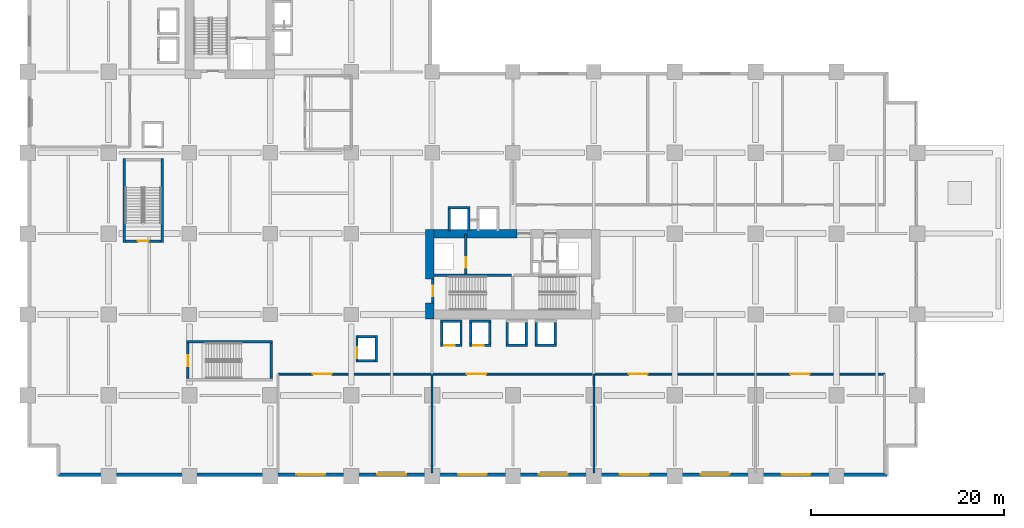
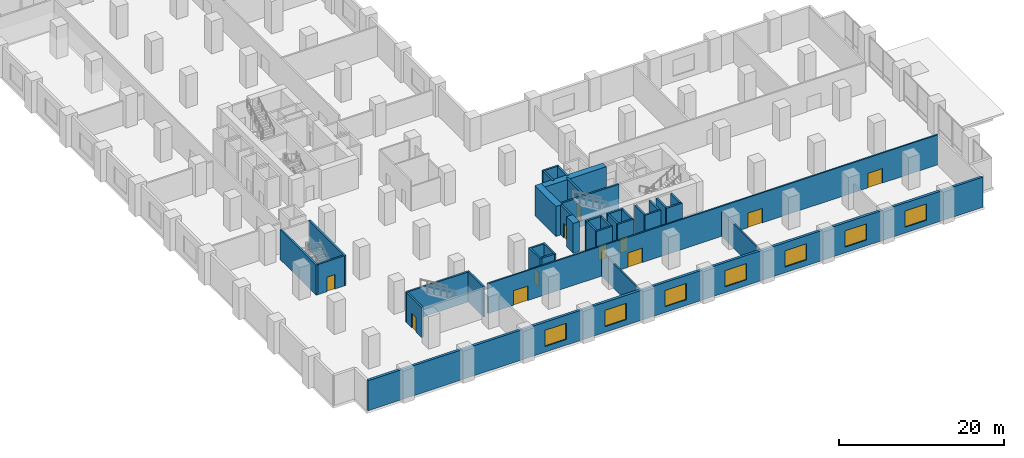
# One storey, part 10 of 22: 37 walls, 11 doors, 7 windows, 18 openings.
"""IFC4 building model written with IfcOpenShell, lengths in metres."""

from ifc_helpers import new_model, si_unit, direction, frame, frame_2d, origin, place, context, subcontext, project, spatial, rectangle, extrude, material, layer, layer_set, type_object, element, fill, save


model = new_model("IFC4")

# Units and contexts
model_context = context("Model", 3, precision=1e-05, world=origin(), true_north=direction((0.0, 1.0)))
body_context = subcontext(model_context, "Body", "Model", "MODEL_VIEW")
ifc_project = project(units=[si_unit("LENGTHUNIT", "METRE"), si_unit("AREAUNIT", "SQUARE_METRE"), si_unit("VOLUMEUNIT", "CUBIC_METRE"), si_unit("PLANEANGLEUNIT", "RADIAN"), si_unit("MASSUNIT", "GRAM", prefix="KILO")], contexts=[model_context])

# Site, building, storey
site_placement = place(None, origin())
site = spatial("IfcSite", under=ifc_project, at=site_placement, CompositionType="ELEMENT")
building_placement = place(site_placement, origin())
building = spatial("IfcBuilding", under=site, at=building_placement, Name="Koriwani Terraces Tower", CompositionType="ELEMENT")
storey_placement = place(building_placement, frame((0.0, 0.0, 6.0)))
storey = spatial("IfcBuildingStorey", under=building, at=storey_placement, Name="L01", CompositionType="ELEMENT", Elevation=6.0)

# Walls
ifc_material_1 = material(Name="Concrete C60/75", Category="concrete")
ifc_layer_1 = layer(ifc_material_1, 0.89990234375, Name="Concrete C60/75")
ifc_layer_set_1 = layer_set([ifc_layer_1], Name="Concrete C60/75")
wall_type_1 = type_object("IfcWallType", Name="WALL_CORE_RC_900", PredefinedType="SHEAR", material=ifc_layer_set_1)
wall_1_placement = place(storey_placement, frame((41.75, 16.35009765625, 0.0), z_axis=(0.0, 0.0, 1.0), x_axis=(0.0, 1.0, 0.0)))
element("IfcWall", 1, at=wall_1_placement, inside=storey, type_object=wall_type_1, Name="L01 East Split Core Shear Wall W1", PredefinedType="SHEAR", context=body_context, shape_type="SweptSolid", body=[
    extrude(rectangle(XDim=1.64990234375, YDim=0.89990234375, at=frame_2d((0.824951171875, 0.0))), origin(), (0.0, 0.0, 1.0), 4.449951171875),
])
wall_2_placement = place(storey_placement, frame((41.75, 20.5, 0.0), z_axis=(0.0, 0.0, 1.0), x_axis=(0.0, 1.0, 0.0)))
element("IfcWall", 2, at=wall_2_placement, inside=storey, type_object=wall_type_1, Name="L01 East Split Core Shear Wall W2", PredefinedType="SHEAR", context=body_context, shape_type="SweptSolid", body=[
    extrude(rectangle(XDim=5.14990234375, YDim=0.89990234375, at=frame_2d((2.574951171875, 0.0))), origin(), (0.0, 0.0, 1.0), 4.449951171875),
])
wall_3_placement = place(storey_placement, frame((42.199951171875, 25.199951171875, 0.0), z_axis=(0.0, 0.0, 1.0), x_axis=(1.0, 0.0, 0.0)))
element("IfcWall", 3, at=wall_3_placement, inside=storey, type_object=wall_type_1, Name="L01 East Split Core Shear Wall N1", PredefinedType="SHEAR", context=body_context, shape_type="SweptSolid", body=[
    extrude(rectangle(XDim=8.60009765625, YDim=0.89990234375, at=frame_2d((4.300048828125, 0.0))), origin(), (0.0, 0.0, 1.0), 4.449951171875),
])

# Wall, openings, doors
ifc_material_2 = material(Name="Autoclaved Cellular Concrete Blockwork", Category="masonry")
ifc_layer_2 = layer(ifc_material_2, 0.199951171875, Name="Autoclaved Cellular Concrete Blockwork")
ifc_layer_set_2 = layer_set([ifc_layer_2], Name="Autoclaved Cellular Concrete Blockwork")
wall_type_2 = type_object("IfcWallType", Name="WALL_CORRIDOR_200", PredefinedType="PARTITIONING", material=ifc_layer_set_2)
wall_4_placement = place(storey_placement, frame((26.0, 10.60009765625, 0.0), z_axis=(0.0, 0.0, 1.0), x_axis=(1.0, 0.0, 0.0)))
wall_4 = element("IfcWall", 4, at=wall_4_placement, inside=storey, type_object=wall_type_2, Name="L01 Interior Wall WPOD-S-L01-0", PredefinedType="PARTITIONING", context=body_context, shape_type="SweptSolid", body=[
    extrude(rectangle(XDim=63.0, YDim=0.199951171875, at=frame_2d((31.5, 0.0))), origin(), (0.0, 0.0, 1.0), 4.449951171875),
])
opening_1_placement = place(wall_4_placement, frame((3.60009765625, 0.0, 0.0)))
opening_1 = element("IfcOpeningElement", 5, at=opening_1_placement, cuts=wall_4, Name="Opening D-02", PredefinedType="OPENING", context=body_context, shape_type="SweptSolid", body=[
    extrude(rectangle(XDim=2.0, YDim=2.14990234375, at=frame_2d((1.0, 1.074951171875))), frame((0.0, 0.10986328125, 0.0), z_axis=(0.0, -1.0, 0.0), x_axis=(1.0, 0.0, 0.0)), (0.0, 0.0, 1.0), 0.219970703125),
])
opening_2_placement = place(wall_4_placement, frame((19.60009765625, 0.0, 0.0)))
opening_2 = element("IfcOpeningElement", 6, at=opening_2_placement, cuts=wall_4, Name="Opening D-02", PredefinedType="OPENING", context=body_context, shape_type="SweptSolid", body=[
    extrude(rectangle(XDim=2.0, YDim=2.14990234375, at=frame_2d((1.0, 1.074951171875))), frame((0.0, 0.10986328125, 0.0), z_axis=(0.0, -1.0, 0.0), x_axis=(1.0, 0.0, 0.0)), (0.0, 0.0, 1.0), 0.219970703125),
])
opening_3_placement = place(wall_4_placement, frame((36.39990234375, 0.0, 0.0)))
opening_3 = element("IfcOpeningElement", 7, at=opening_3_placement, cuts=wall_4, Name="Opening D-02", PredefinedType="OPENING", context=body_context, shape_type="SweptSolid", body=[
    extrude(rectangle(XDim=2.0, YDim=2.14990234375, at=frame_2d((1.0, 1.074951171875))), frame((0.0, 0.10986328125, 0.0), z_axis=(0.0, -1.0, 0.0), x_axis=(1.0, 0.0, 0.0)), (0.0, 0.0, 1.0), 0.219970703125),
])
opening_4_placement = place(wall_4_placement, frame((53.199951171875, 0.0, 0.0)))
opening_4 = element("IfcOpeningElement", 8, at=opening_4_placement, cuts=wall_4, Name="Opening D-02", PredefinedType="OPENING", context=body_context, shape_type="SweptSolid", body=[
    extrude(rectangle(XDim=2.0, YDim=2.14990234375, at=frame_2d((1.0, 1.074951171875))), frame((0.0, 0.10986328125, 0.0), z_axis=(0.0, -1.0, 0.0), x_axis=(1.0, 0.0, 0.0)), (0.0, 0.0, 1.0), 0.219970703125),
])
ifc_material_3 = material(Name="Anodised Bronze Aluminium", Category="aluminium")
door_type_1 = type_object("IfcDoorType", Name="DOOR_ENTRANCE_DOUBLE_2000X2400", OperationType="NOTDEFINED", PredefinedType="DOOR", material=ifc_material_3)
door_1_placement = place(opening_1_placement, origin())
door_1 = element("IfcDoor", 9, at=door_1_placement, inside=storey, type_object=door_type_1, Name="L01 South Galleria Unit 1 Door", OperationType="SINGLE_SWING_LEFT", OverallHeight=2.14990234375, OverallWidth=2.0, PredefinedType="DOOR", context=body_context, shape_type="SweptSolid", body=[
    extrude(rectangle(XDim=2.0, YDim=2.14990234375, at=frame_2d((1.0, 1.074951171875))), frame((0.0, 0.02490234375, 0.0), z_axis=(0.0, -1.0, 0.0), x_axis=(1.0, 0.0, 0.0)), (0.0, 0.0, 1.0), 0.050048828125),
])
fill(opening_1, door_1)
door_2_placement = place(opening_2_placement, origin())
door_2 = element("IfcDoor", 10, at=door_2_placement, inside=storey, type_object=door_type_1, Name="L01 South Galleria Unit 2 Door", OperationType="SINGLE_SWING_RIGHT", OverallHeight=2.14990234375, OverallWidth=2.0, PredefinedType="DOOR", context=body_context, shape_type="SweptSolid", body=[
    extrude(rectangle(XDim=2.0, YDim=2.14990234375, at=frame_2d((1.0, 1.074951171875))), frame((0.0, 0.02490234375, 0.0), z_axis=(0.0, -1.0, 0.0), x_axis=(1.0, 0.0, 0.0)), (0.0, 0.0, 1.0), 0.050048828125),
])
fill(opening_2, door_2)
door_3_placement = place(opening_3_placement, origin())
door_3 = element("IfcDoor", 11, at=door_3_placement, inside=storey, type_object=door_type_1, Name="L01 South Galleria Unit 3 Door", OperationType="SINGLE_SWING_LEFT", OverallHeight=2.14990234375, OverallWidth=2.0, PredefinedType="DOOR", context=body_context, shape_type="SweptSolid", body=[
    extrude(rectangle(XDim=2.0, YDim=2.14990234375, at=frame_2d((1.0, 1.074951171875))), frame((0.0, 0.02490234375, 0.0), z_axis=(0.0, -1.0, 0.0), x_axis=(1.0, 0.0, 0.0)), (0.0, 0.0, 1.0), 0.050048828125),
])
fill(opening_3, door_3)
door_4_placement = place(opening_4_placement, origin())
door_4 = element("IfcDoor", 12, at=door_4_placement, inside=storey, type_object=door_type_1, Name="L01 South Galleria Unit 4 Door", OperationType="SINGLE_SWING_RIGHT", OverallHeight=2.14990234375, OverallWidth=2.0, PredefinedType="DOOR", context=body_context, shape_type="SweptSolid", body=[
    extrude(rectangle(XDim=2.0, YDim=2.14990234375, at=frame_2d((1.0, 1.074951171875))), frame((0.0, 0.02490234375, 0.0), z_axis=(0.0, -1.0, 0.0), x_axis=(1.0, 0.0, 0.0)), (0.0, 0.0, 1.0), 0.050048828125),
])
fill(opening_4, door_4)

# Walls
ifc_layer_3 = layer(ifc_material_2, 0.219970703125, Name="Autoclaved Cellular Concrete Blockwork")
ifc_layer_set_3 = layer_set([ifc_layer_3], Name="Autoclaved Cellular Concrete Blockwork")
wall_type_3 = type_object("IfcWallType", Name="WALL_DEMISING_220", PredefinedType="PARTITIONING", material=ifc_layer_set_3)
for number, where, z_axis, x_axis, name in (
    (13, (42.0, 0.35009765625, 0.0), (0.0, 0.0, 1.0), (0.0, 1.0, 0.0), "L01 Interior Wall WPOD-SD-L01-1"),
    (14, (58.800048828125, 0.35009765625, 0.0), (0.0, 0.0, 1.0), (0.0, 1.0, 0.0), "L01 Interior Wall WPOD-SD-L01-2"),
):
    element("IfcWall", number, at=place(storey_placement, frame(where, z_axis=z_axis, x_axis=x_axis)), inside=storey, type_object=wall_type_3, Name=name, PredefinedType="PARTITIONING", context=body_context, shape_type="SweptSolid", body=[
        extrude(rectangle(XDim=10.25, YDim=0.219970703125, at=frame_2d((5.125, 0.0))), origin(), (0.0, 0.0, 1.0), 3.60009765625),
    ])

# Wall, openings, windows
ifc_material_4 = material(Name="Concrete C50/60", Category="concrete")
ifc_layer_4 = layer(ifc_material_4, 0.35009765625, Name="Concrete C50/60")
ifc_layer_set_4 = layer_set([ifc_layer_4], Name="Concrete C50/60")
wall_type_4 = type_object("IfcWallType", Name="WALL_EXT_BRUTALIST_350", PredefinedType="STANDARD", material=ifc_layer_set_4)
wall_5_placement = place(storey_placement, frame((89.22509765625, 0.175048828125, 0.0), z_axis=(0.0, 0.0, 1.0), x_axis=(-1.0, 0.0, 0.0)))
wall_5 = element("IfcWall", 15, at=wall_5_placement, inside=storey, type_object=wall_type_4, Name="L01 Fair-Faced Brutalist Exterior Wall (S)", PredefinedType="STANDARD", context=body_context, shape_type="SweptSolid", body=[
    extrude(rectangle(XDim=86.050048828125, YDim=0.35009765625, at=frame_2d((43.02490234375, 0.0))), origin(), (0.0, 0.0, 1.0), 4.449951171875),
])
opening_5_placement = place(wall_5_placement, frame((58.324951171875, 0.0, 0.85009765625)))
opening_5 = element("IfcOpeningElement", 16, at=opening_5_placement, cuts=wall_5, Name="Opening W-06", PredefinedType="OPENING", context=body_context, shape_type="SweptSolid", body=[
    extrude(rectangle(XDim=3.0, YDim=2.39990234375, at=frame_2d((1.5, 1.199951171875))), frame((0.0, 0.18505859375, 0.0), z_axis=(0.0, -1.0, 0.0), x_axis=(1.0, 0.0, 0.0)), (0.0, 0.0, 1.0), 0.3701171875),
])
opening_6_placement = place(wall_5_placement, frame((49.925048828125, 0.0, 0.85009765625)))
opening_6 = element("IfcOpeningElement", 17, at=opening_6_placement, cuts=wall_5, Name="Opening W-06", PredefinedType="OPENING", context=body_context, shape_type="SweptSolid", body=[
    extrude(rectangle(XDim=3.0, YDim=2.39990234375, at=frame_2d((1.5, 1.199951171875))), frame((0.0, 0.18505859375, 0.0), z_axis=(0.0, -1.0, 0.0), x_axis=(1.0, 0.0, 0.0)), (0.0, 0.0, 1.0), 0.3701171875),
])
opening_7_placement = place(wall_5_placement, frame((41.52490234375, 0.0, 0.85009765625)))
opening_7 = element("IfcOpeningElement", 18, at=opening_7_placement, cuts=wall_5, Name="Opening W-06", PredefinedType="OPENING", context=body_context, shape_type="SweptSolid", body=[
    extrude(rectangle(XDim=3.0, YDim=2.39990234375, at=frame_2d((1.5, 1.199951171875))), frame((0.0, 0.18505859375, 0.0), z_axis=(0.0, -1.0, 0.0), x_axis=(1.0, 0.0, 0.0)), (0.0, 0.0, 1.0), 0.3701171875),
])
opening_8_placement = place(wall_5_placement, frame((33.125, 0.0, 0.85009765625)))
opening_8 = element("IfcOpeningElement", 19, at=opening_8_placement, cuts=wall_5, Name="Opening W-06", PredefinedType="OPENING", context=body_context, shape_type="SweptSolid", body=[
    extrude(rectangle(XDim=3.0, YDim=2.39990234375, at=frame_2d((1.5, 1.199951171875))), frame((0.0, 0.18505859375, 0.0), z_axis=(0.0, -1.0, 0.0), x_axis=(1.0, 0.0, 0.0)), (0.0, 0.0, 1.0), 0.3701171875),
])
opening_9_placement = place(wall_5_placement, frame((24.72509765625, 0.0, 0.85009765625)))
opening_9 = element("IfcOpeningElement", 20, at=opening_9_placement, cuts=wall_5, Name="Opening W-06", PredefinedType="OPENING", context=body_context, shape_type="SweptSolid", body=[
    extrude(rectangle(XDim=3.0, YDim=2.39990234375, at=frame_2d((1.5, 1.199951171875))), frame((0.0, 0.18505859375, 0.0), z_axis=(0.0, -1.0, 0.0), x_axis=(1.0, 0.0, 0.0)), (0.0, 0.0, 1.0), 0.3701171875),
])
opening_10_placement = place(wall_5_placement, frame((16.324951171875, 0.0, 0.85009765625)))
opening_10 = element("IfcOpeningElement", 21, at=opening_10_placement, cuts=wall_5, Name="Opening W-06", PredefinedType="OPENING", context=body_context, shape_type="SweptSolid", body=[
    extrude(rectangle(XDim=3.0, YDim=2.39990234375, at=frame_2d((1.5, 1.199951171875))), frame((0.0, 0.18505859375, 0.0), z_axis=(0.0, -1.0, 0.0), x_axis=(1.0, 0.0, 0.0)), (0.0, 0.0, 1.0), 0.3701171875),
])
opening_11_placement = place(wall_5_placement, frame((7.925048828125, 0.0, 0.85009765625)))
opening_11 = element("IfcOpeningElement", 22, at=opening_11_placement, cuts=wall_5, Name="Opening W-06", PredefinedType="OPENING", context=body_context, shape_type="SweptSolid", body=[
    extrude(rectangle(XDim=3.0, YDim=2.39990234375, at=frame_2d((1.5, 1.199951171875))), frame((0.0, 0.18505859375, 0.0), z_axis=(0.0, -1.0, 0.0), x_axis=(1.0, 0.0, 0.0)), (0.0, 0.0, 1.0), 0.3701171875),
])
ifc_material_5 = material(Name="Tempered Laminated Low-E Glass", Category="glass")
window_type = type_object("IfcWindowType", Name="WIN_PODIUM_PUNCHED_3000X2400", PartitioningType="TRIPLE_PANEL_VERTICAL", PredefinedType="WINDOW", material=ifc_material_5)
window_1_placement = place(opening_5_placement, origin())
window_1 = element("IfcWindow", 23, at=window_1_placement, inside=storey, type_object=window_type, Name="L01 Exterior Window (S-9)", OverallHeight=2.39990234375, OverallWidth=3.0, PartitioningType="SINGLE_PANEL", PredefinedType="WINDOW", context=body_context, shape_type="SweptSolid", body=[
    extrude(rectangle(XDim=3.0, YDim=2.39990234375, at=frame_2d((1.5, 1.199951171875))), frame((0.0, 0.030029296875, 0.0), z_axis=(0.0, -1.0, 0.0), x_axis=(1.0, 0.0, 0.0)), (0.0, 0.0, 1.0), 0.06005859375),
])
fill(opening_5, window_1)
window_2_placement = place(opening_6_placement, origin())
window_2 = element("IfcWindow", 24, at=window_2_placement, inside=storey, type_object=window_type, Name="L01 Exterior Window (S-12)", OverallHeight=2.39990234375, OverallWidth=3.0, PartitioningType="SINGLE_PANEL", PredefinedType="WINDOW", context=body_context, shape_type="SweptSolid", body=[
    extrude(rectangle(XDim=3.0, YDim=2.39990234375, at=frame_2d((1.5, 1.199951171875))), frame((0.0, 0.030029296875, 0.0), z_axis=(0.0, -1.0, 0.0), x_axis=(1.0, 0.0, 0.0)), (0.0, 0.0, 1.0), 0.06005859375),
])
fill(opening_6, window_2)
window_3_placement = place(opening_7_placement, origin())
window_3 = element("IfcWindow", 25, at=window_3_placement, inside=storey, type_object=window_type, Name="L01 Exterior Window (S-15)", OverallHeight=2.39990234375, OverallWidth=3.0, PartitioningType="SINGLE_PANEL", PredefinedType="WINDOW", context=body_context, shape_type="SweptSolid", body=[
    extrude(rectangle(XDim=3.0, YDim=2.39990234375, at=frame_2d((1.5, 1.199951171875))), frame((0.0, 0.030029296875, 0.0), z_axis=(0.0, -1.0, 0.0), x_axis=(1.0, 0.0, 0.0)), (0.0, 0.0, 1.0), 0.06005859375),
])
fill(opening_7, window_3)
window_4_placement = place(opening_8_placement, origin())
window_4 = element("IfcWindow", 26, at=window_4_placement, inside=storey, type_object=window_type, Name="L01 Exterior Window (S-18)", OverallHeight=2.39990234375, OverallWidth=3.0, PartitioningType="SINGLE_PANEL", PredefinedType="WINDOW", context=body_context, shape_type="SweptSolid", body=[
    extrude(rectangle(XDim=3.0, YDim=2.39990234375, at=frame_2d((1.5, 1.199951171875))), frame((0.0, 0.030029296875, 0.0), z_axis=(0.0, -1.0, 0.0), x_axis=(1.0, 0.0, 0.0)), (0.0, 0.0, 1.0), 0.06005859375),
])
fill(opening_8, window_4)
window_5_placement = place(opening_9_placement, origin())
window_5 = element("IfcWindow", 27, at=window_5_placement, inside=storey, type_object=window_type, Name="L01 Exterior Window (S-21)", OverallHeight=2.39990234375, OverallWidth=3.0, PartitioningType="SINGLE_PANEL", PredefinedType="WINDOW", context=body_context, shape_type="SweptSolid", body=[
    extrude(rectangle(XDim=3.0, YDim=2.39990234375, at=frame_2d((1.5, 1.199951171875))), frame((0.0, 0.030029296875, 0.0), z_axis=(0.0, -1.0, 0.0), x_axis=(1.0, 0.0, 0.0)), (0.0, 0.0, 1.0), 0.06005859375),
])
fill(opening_9, window_5)
window_6_placement = place(opening_10_placement, origin())
window_6 = element("IfcWindow", 28, at=window_6_placement, inside=storey, type_object=window_type, Name="L01 Exterior Window (S-24)", OverallHeight=2.39990234375, OverallWidth=3.0, PartitioningType="SINGLE_PANEL", PredefinedType="WINDOW", context=body_context, shape_type="SweptSolid", body=[
    extrude(rectangle(XDim=3.0, YDim=2.39990234375, at=frame_2d((1.5, 1.199951171875))), frame((0.0, 0.030029296875, 0.0), z_axis=(0.0, -1.0, 0.0), x_axis=(1.0, 0.0, 0.0)), (0.0, 0.0, 1.0), 0.06005859375),
])
fill(opening_10, window_6)
window_7_placement = place(opening_11_placement, origin())
window_7 = element("IfcWindow", 29, at=window_7_placement, inside=storey, type_object=window_type, Name="L01 Exterior Window (S-27)", OverallHeight=2.39990234375, OverallWidth=3.0, PartitioningType="SINGLE_PANEL", PredefinedType="WINDOW", context=body_context, shape_type="SweptSolid", body=[
    extrude(rectangle(XDim=3.0, YDim=2.39990234375, at=frame_2d((1.5, 1.199951171875))), frame((0.0, 0.030029296875, 0.0), z_axis=(0.0, -1.0, 0.0), x_axis=(1.0, 0.0, 0.0)), (0.0, 0.0, 1.0), 0.06005859375),
])
fill(opening_11, window_7)

# Walls
ifc_material_6 = material(Name="Concrete C40/50", Category="concrete")
ifc_layer_5 = layer(ifc_material_6, 0.25, Name="Concrete C40/50")
ifc_layer_set_5 = layer_set([ifc_layer_5], Name="Concrete C40/50")
wall_type_5 = type_object("IfcWallType", Name="WALL_SHAFT_RATED_250", PredefinedType="SOLIDWALL", material=ifc_layer_set_5)
wall_6_placement = place(storey_placement, frame((42.199951171875, 20.875, 0.0), z_axis=(0.0, 0.0, 1.0), x_axis=(1.0, 0.0, 0.0)))
element("IfcWall", 30, at=wall_6_placement, inside=storey, type_object=wall_type_5, Name="L01 East Split Core Web Wall MID1", PredefinedType="SOLIDWALL", context=body_context, shape_type="SweptSolid", body=[
    extrude(rectangle(XDim=8.050048828125, YDim=0.25, at=frame_2d((4.02490234375, 0.0))), origin(), (0.0, 0.0, 1.0), 4.449951171875),
])
for number, where, z_axis, x_axis, name in (
    (31, (10.02490234375, 24.300048828125, 0.0), (0.0, 0.0, 1.0), (0.0, 1.0, 0.0), "L01 Podium Stair ST-P1 West Bearing Wall"),
    (32, (13.97509765625, 24.300048828125, 0.0), (0.0, 0.0, 1.0), (0.0, 1.0, 0.0), "L01 Podium Stair ST-P1 East Bearing Wall"),
):
    element("IfcWall", number, at=place(storey_placement, frame(where, z_axis=z_axis, x_axis=x_axis)), inside=storey, type_object=wall_type_5, Name=name, PredefinedType="SOLIDWALL", context=body_context, shape_type="SweptSolid", body=[
        extrude(rectangle(XDim=8.699951171875, YDim=0.25, at=frame_2d((4.35009765625, 0.0))), origin(), (0.0, 0.0, 1.0), 4.449951171875),
    ])
wall_7_placement = place(storey_placement, frame((16.5, 13.97509765625, 0.0), z_axis=(0.0, 0.0, 1.0), x_axis=(1.0, 0.0, 0.0)))
element("IfcWall", 33, at=wall_7_placement, inside=storey, type_object=wall_type_5, Name="L01 Podium Stair ST-P2 North Bearing Wall", PredefinedType="SOLIDWALL", context=body_context, shape_type="SweptSolid", body=[
    extrude(rectangle(XDim=8.89990234375, YDim=0.25, at=frame_2d((4.449951171875, 0.0))), origin(), (0.0, 0.0, 1.0), 4.449951171875),
])
wall_8_placement = place(storey_placement, frame((25.27490234375, 10.14990234375, 0.0), z_axis=(0.0, 0.0, 1.0), x_axis=(0.0, 1.0, 0.0)))
element("IfcWall", 34, at=wall_8_placement, inside=storey, type_object=wall_type_5, Name="L01 Podium Stair ST-P2 East Bearing Wall", PredefinedType="SOLIDWALL", context=body_context, shape_type="SweptSolid", body=[
    extrude(rectangle(XDim=3.7001953125, YDim=0.25, at=frame_2d((1.85009765625, 0.0))), origin(), (0.0, 0.0, 1.0), 4.449951171875),
])

# Wall, opening, door
wall_9_placement = place(storey_placement, frame((42.074951171875, 18.0, 0.0), z_axis=(0.0, 0.0, 1.0), x_axis=(0.0, 1.0, 0.0)))
wall_9 = element("IfcWall", 35, at=wall_9_placement, inside=storey, type_object=wall_type_5, Name="L01 Interior Wall WIN-CE-L01-STW", PredefinedType="SOLIDWALL", context=body_context, shape_type="SweptSolid", body=[
    extrude(rectangle(XDim=2.5, YDim=0.25, at=frame_2d((1.25, 0.0))), origin(), (0.0, 0.0, 1.0), 4.449951171875),
])
opening_12_placement = place(wall_9_placement, frame((0.699951171875, 0.0, 0.0)))
opening_12 = element("IfcOpeningElement", 36, at=opening_12_placement, cuts=wall_9, Name="Opening D-03", PredefinedType="OPENING", context=body_context, shape_type="SweptSolid", body=[
    extrude(rectangle(XDim=1.10009765625, YDim=2.14990234375, at=frame_2d((0.550048828125, 1.074951171875))), frame((0.0, 0.135009765625, 0.0), z_axis=(0.0, -1.0, 0.0), x_axis=(1.0, 0.0, 0.0)), (0.0, 0.0, 1.0), 0.27001953125),
])
ifc_material_7 = material(Name="Steel ASTM A572 Grade 50", Category="steel")
door_type_2 = type_object("IfcDoorType", Name="DOOR_STAIR_FIRE_1100X2150", OperationType="NOTDEFINED", PredefinedType="DOOR", material=ifc_material_7)
door_5_placement = place(opening_12_placement, origin())
door_5 = element("IfcDoor", 37, at=door_5_placement, inside=storey, type_object=door_type_2, Name="L01 Exit Stair ST-E1 Door", OperationType="SINGLE_SWING_LEFT", OverallHeight=2.14990234375, OverallWidth=1.10009765625, PredefinedType="DOOR", context=body_context, shape_type="SweptSolid", body=[
    extrude(rectangle(XDim=1.10009765625, YDim=2.14990234375, at=frame_2d((0.550048828125, 1.074951171875))), frame((0.0, 0.02490234375, 0.0), z_axis=(0.0, -1.0, 0.0), x_axis=(1.0, 0.0, 0.0)), (0.0, 0.0, 1.0), 0.050048828125),
])
fill(opening_12, door_5)

wall_10_placement = place(storey_placement, frame((45.5, 21.0, 0.0), z_axis=(0.0, 0.0, 1.0), x_axis=(0.0, 1.0, 0.0)))
wall_10 = element("IfcWall", 38, at=wall_10_placement, inside=storey, type_object=wall_type_5, Name="L01 Interior Wall WIN-CE-L01-FE", PredefinedType="SOLIDWALL", context=body_context, shape_type="SweptSolid", body=[
    extrude(rectangle(XDim=4.14990234375, YDim=0.25, at=frame_2d((2.074951171875, 0.0))), origin(), (0.0, 0.0, 1.0), 4.449951171875),
])
opening_13_placement = place(wall_10_placement, frame((0.64990234375, 0.0, 0.0)))
opening_13 = element("IfcOpeningElement", 39, at=opening_13_placement, cuts=wall_10, Name="Opening LD-01", PredefinedType="OPENING", context=body_context, shape_type="SweptSolid", body=[
    extrude(rectangle(XDim=1.10009765625, YDim=2.14990234375, at=frame_2d((0.550048828125, 1.074951171875))), frame((0.0, 0.135009765625, 0.0), z_axis=(0.0, -1.0, 0.0), x_axis=(1.0, 0.0, 0.0)), (0.0, 0.0, 1.0), 0.27001953125),
])
door_type_3 = type_object("IfcDoorType", Name="DOOR_LIFT_LANDING_1100X2200", OperationType="NOTDEFINED", PredefinedType="DOOR", material=ifc_material_7)
door_6_placement = place(opening_13_placement, origin())
door_6 = element("IfcDoor", 40, at=door_6_placement, inside=storey, type_object=door_type_3, Name="L01 Firefighting Lift FE-02 Landing Door", OperationType="SLIDING_TO_LEFT", OverallHeight=2.14990234375, OverallWidth=1.10009765625, PredefinedType="DOOR", context=body_context, shape_type="SweptSolid", body=[
    extrude(rectangle(XDim=1.10009765625, YDim=2.14990234375, at=frame_2d((0.550048828125, 1.074951171875))), frame((0.0, 0.02490234375, 0.0), z_axis=(0.0, -1.0, 0.0), x_axis=(1.0, 0.0, 0.0)), (0.0, 0.0, 1.0), 0.050048828125),
])
fill(opening_13, door_6)

wall_11_placement = place(storey_placement, frame((34.199951171875, 11.875, 0.0), z_axis=(0.0, 0.0, 1.0), x_axis=(0.0, 1.0, 0.0)))
wall_11 = element("IfcWall", 41, at=wall_11_placement, inside=storey, type_object=wall_type_5, Name="L01 Interior Wall WIN-LF-PE-P2-L01-F", PredefinedType="SOLIDWALL", context=body_context, shape_type="SweptSolid", body=[
    extrude(rectangle(XDim=2.75, YDim=0.25, at=frame_2d((1.375, 0.0))), origin(), (0.0, 0.0, 1.0), 4.449951171875),
])
opening_14_placement = place(wall_11_placement, frame((0.39990234375, 0.0, 0.0)))
opening_14 = element("IfcOpeningElement", 42, at=opening_14_placement, cuts=wall_11, Name="Opening LD-01", PredefinedType="OPENING", context=body_context, shape_type="SweptSolid", body=[
    extrude(rectangle(XDim=1.10009765625, YDim=2.14990234375, at=frame_2d((0.550048828125, 1.074951171875))), frame((0.0, 0.135009765625, 0.0), z_axis=(0.0, -1.0, 0.0), x_axis=(1.0, 0.0, 0.0)), (0.0, 0.0, 1.0), 0.27001953125),
])
door_7_placement = place(opening_14_placement, origin())
door_7 = element("IfcDoor", 43, at=door_7_placement, inside=storey, type_object=door_type_3, Name="L01 Passenger Lift PE-P2 Landing Door", OperationType="SLIDING_TO_LEFT", OverallHeight=2.14990234375, OverallWidth=1.10009765625, PredefinedType="DOOR", context=body_context, shape_type="SweptSolid", body=[
    extrude(rectangle(XDim=1.10009765625, YDim=2.14990234375, at=frame_2d((0.550048828125, 1.074951171875))), frame((0.0, 0.02490234375, 0.0), z_axis=(0.0, -1.0, 0.0), x_axis=(1.0, 0.0, 0.0)), (0.0, 0.0, 1.0), 0.050048828125),
])
fill(opening_14, door_7)

# Walls
wall_12_placement = place(storey_placement, frame((36.199951171875, 11.875, 0.0), z_axis=(0.0, 0.0, 1.0), x_axis=(0.0, 1.0, 0.0)))
element("IfcWall", 44, at=wall_12_placement, inside=storey, type_object=wall_type_5, Name="L01 Interior Wall WIN-LF-PE-P2-L01-B", PredefinedType="SOLIDWALL", context=body_context, shape_type="SweptSolid", body=[
    extrude(rectangle(XDim=2.75, YDim=0.25, at=frame_2d((1.375, 0.0))), origin(), (0.0, 0.0, 1.0), 4.449951171875),
])
for number, where, z_axis, x_axis, name in (
    (45, (34.324951171875, 12.0, 0.0), (0.0, 0.0, 1.0), (1.0, 0.0, 0.0), "L01 Interior Wall WIN-LF-PE-P2-L01-S"),
    (46, (34.324951171875, 14.5, 0.0), (0.0, 0.0, 1.0), (1.0, 0.0, 0.0), "L01 Interior Wall WIN-LF-PE-P2-L01-N"),
):
    element("IfcWall", number, at=place(storey_placement, frame(where, z_axis=z_axis, x_axis=x_axis)), inside=storey, type_object=wall_type_5, Name=name, PredefinedType="SOLIDWALL", context=body_context, shape_type="SweptSolid", body=[
        extrude(rectangle(XDim=1.75, YDim=0.25, at=frame_2d((0.875, 0.0))), origin(), (0.0, 0.0, 1.0), 4.449951171875),
    ])

# Wall, opening, door
wall_13_placement = place(storey_placement, frame((42.875, 13.60009765625, 0.0), z_axis=(0.0, 0.0, 1.0), x_axis=(1.0, 0.0, 0.0)))
wall_13 = element("IfcWall", 47, at=wall_13_placement, inside=storey, type_object=wall_type_5, Name="L01 Interior Wall WIN-LF-PE-L3-L01-F", PredefinedType="SOLIDWALL", context=body_context, shape_type="SweptSolid", body=[
    extrude(rectangle(XDim=2.25, YDim=0.25, at=frame_2d((1.125, 0.0))), origin(), (0.0, 0.0, 1.0), 4.449951171875),
])
opening_15_placement = place(wall_13_placement, frame((0.39990234375, 0.0, 0.0)))
opening_15 = element("IfcOpeningElement", 48, at=opening_15_placement, cuts=wall_13, Name="Opening LD-01", PredefinedType="OPENING", context=body_context, shape_type="SweptSolid", body=[
    extrude(rectangle(XDim=1.10009765625, YDim=2.14990234375, at=frame_2d((0.550048828125, 1.074951171875))), frame((0.0, 0.135009765625, 0.0), z_axis=(0.0, -1.0, 0.0), x_axis=(1.0, 0.0, 0.0)), (0.0, 0.0, 1.0), 0.27001953125),
])
door_8_placement = place(opening_15_placement, origin())
door_8 = element("IfcDoor", 49, at=door_8_placement, inside=storey, type_object=door_type_3, Name="L01 Passenger Lift PE-L3 Landing Door", OperationType="SLIDING_TO_LEFT", OverallHeight=2.14990234375, OverallWidth=1.10009765625, PredefinedType="DOOR", context=body_context, shape_type="SweptSolid", body=[
    extrude(rectangle(XDim=1.10009765625, YDim=2.14990234375, at=frame_2d((0.550048828125, 1.074951171875))), frame((0.0, 0.02490234375, 0.0), z_axis=(0.0, -1.0, 0.0), x_axis=(1.0, 0.0, 0.0)), (0.0, 0.0, 1.0), 0.050048828125),
])
fill(opening_15, door_8)

# Walls
for number, where, z_axis, x_axis, name in (
    (50, (42.875, 16.10009765625, 0.0), (0.0, 0.0, 1.0), (1.0, 0.0, 0.0), "L01 Interior Wall WIN-LF-PE-L3-L01-B"),
    (51, (43.0, 13.72509765625, 0.0), (0.0, 0.0, 1.0), (0.0, 1.0, 0.0), "L01 Interior Wall WIN-LF-PE-L3-L01-W"),
    (52, (45.0, 13.72509765625, 0.0), (0.0, 0.0, 1.0), (0.0, 1.0, 0.0), "L01 Interior Wall WIN-LF-PE-L3-L01-E"),
):
    element("IfcWall", number, at=place(storey_placement, frame(where, z_axis=z_axis, x_axis=x_axis)), inside=storey, type_object=wall_type_5, Name=name, PredefinedType="SOLIDWALL", context=body_context, shape_type="SweptSolid", body=[
        extrude(rectangle(XDim=2.25, YDim=0.25, at=frame_2d((1.125, 0.0))), origin(), (0.0, 0.0, 1.0), 4.449951171875),
    ])

# Wall, opening, door
wall_14_placement = place(storey_placement, frame((45.875, 13.60009765625, 0.0), z_axis=(0.0, 0.0, 1.0), x_axis=(1.0, 0.0, 0.0)))
wall_14 = element("IfcWall", 53, at=wall_14_placement, inside=storey, type_object=wall_type_5, Name="L01 Interior Wall WIN-LF-PE-L4-L01-F", PredefinedType="SOLIDWALL", context=body_context, shape_type="SweptSolid", body=[
    extrude(rectangle(XDim=2.25, YDim=0.25, at=frame_2d((1.125, 0.0))), origin(), (0.0, 0.0, 1.0), 4.449951171875),
])
opening_16_placement = place(wall_14_placement, frame((0.39990234375, 0.0, 0.0)))
opening_16 = element("IfcOpeningElement", 54, at=opening_16_placement, cuts=wall_14, Name="Opening LD-01", PredefinedType="OPENING", context=body_context, shape_type="SweptSolid", body=[
    extrude(rectangle(XDim=1.10009765625, YDim=2.14990234375, at=frame_2d((0.550048828125, 1.074951171875))), frame((0.0, 0.135009765625, 0.0), z_axis=(0.0, -1.0, 0.0), x_axis=(1.0, 0.0, 0.0)), (0.0, 0.0, 1.0), 0.27001953125),
])
door_9_placement = place(opening_16_placement, origin())
door_9 = element("IfcDoor", 55, at=door_9_placement, inside=storey, type_object=door_type_3, Name="L01 Passenger Lift PE-L4 Landing Door", OperationType="SLIDING_TO_LEFT", OverallHeight=2.14990234375, OverallWidth=1.10009765625, PredefinedType="DOOR", context=body_context, shape_type="SweptSolid", body=[
    extrude(rectangle(XDim=1.10009765625, YDim=2.14990234375, at=frame_2d((0.550048828125, 1.074951171875))), frame((0.0, 0.02490234375, 0.0), z_axis=(0.0, -1.0, 0.0), x_axis=(1.0, 0.0, 0.0)), (0.0, 0.0, 1.0), 0.050048828125),
])
fill(opening_16, door_9)

# Walls
for number, where, z_axis, x_axis, name in (
    (56, (45.875, 16.10009765625, 0.0), (0.0, 0.0, 1.0), (1.0, 0.0, 0.0), "L01 Interior Wall WIN-LF-PE-L4-L01-B"),
    (57, (46.0, 13.72509765625, 0.0), (0.0, 0.0, 1.0), (0.0, 1.0, 0.0), "L01 Interior Wall WIN-LF-PE-L4-L01-W"),
    (58, (48.0, 13.72509765625, 0.0), (0.0, 0.0, 1.0), (0.0, 1.0, 0.0), "L01 Interior Wall WIN-LF-PE-L4-L01-E"),
    (59, (49.675048828125, 13.60009765625, 0.0), (0.0, 0.0, 1.0), (1.0, 0.0, 0.0), "L01 Interior Wall WIN-LF-PE-M3-L01-F"),
    (60, (49.800048828125, 13.72509765625, 0.0), (0.0, 0.0, 1.0), (0.0, 1.0, 0.0), "L01 Interior Wall WIN-LF-PE-M3-L01-W"),
    (61, (51.800048828125, 13.72509765625, 0.0), (0.0, 0.0, 1.0), (0.0, 1.0, 0.0), "L01 Interior Wall WIN-LF-PE-M3-L01-E"),
    (62, (52.675048828125, 13.60009765625, 0.0), (0.0, 0.0, 1.0), (1.0, 0.0, 0.0), "L01 Interior Wall WIN-LF-PE-M4-L01-F"),
    (63, (52.800048828125, 13.72509765625, 0.0), (0.0, 0.0, 1.0), (0.0, 1.0, 0.0), "L01 Interior Wall WIN-LF-PE-M4-L01-W"),
    (64, (54.800048828125, 13.72509765625, 0.0), (0.0, 0.0, 1.0), (0.0, 1.0, 0.0), "L01 Interior Wall WIN-LF-PE-M4-L01-E"),
    (65, (43.675048828125, 27.89990234375, 0.0), (0.0, 0.0, 1.0), (1.0, 0.0, 0.0), "L01 Interior Wall WIN-LF-PE-H3-L01-F"),
):
    element("IfcWall", number, at=place(storey_placement, frame(where, z_axis=z_axis, x_axis=x_axis)), inside=storey, type_object=wall_type_5, Name=name, PredefinedType="SOLIDWALL", context=body_context, shape_type="SweptSolid", body=[
        extrude(rectangle(XDim=2.25, YDim=0.25, at=frame_2d((1.125, 0.0))), origin(), (0.0, 0.0, 1.0), 4.449951171875),
    ])
for number, where, z_axis, x_axis, name in (
    (66, (43.800048828125, 25.449951171875, 0.0), (0.0, 0.0, 1.0), (0.0, 1.0, 0.0), "L01 Interior Wall WIN-LF-PE-H3-L01-W"),
    (67, (45.800048828125, 25.449951171875, 0.0), (0.0, 0.0, 1.0), (0.0, 1.0, 0.0), "L01 Interior Wall WIN-LF-PE-H3-L01-E"),
):
    element("IfcWall", number, at=place(storey_placement, frame(where, z_axis=z_axis, x_axis=x_axis)), inside=storey, type_object=wall_type_5, Name=name, PredefinedType="SOLIDWALL", context=body_context, shape_type="SweptSolid", body=[
        extrude(rectangle(XDim=2.324951171875, YDim=0.25, at=frame_2d((1.16259765625, 0.0))), origin(), (0.0, 0.0, 1.0), 4.449951171875),
    ])

# Wall, opening, door
wall_15_placement = place(storey_placement, frame((10.14990234375, 24.425048828125, 0.0), z_axis=(0.0, 0.0, 1.0), x_axis=(1.0, 0.0, 0.0)))
wall_15 = element("IfcWall", 68, at=wall_15_placement, inside=storey, type_object=wall_type_5, Name="L01 Interior Wall WIN-STP1-L01-S", PredefinedType="SOLIDWALL", context=body_context, shape_type="SweptSolid", body=[
    extrude(rectangle(XDim=3.7001953125, YDim=0.25, at=frame_2d((1.85009765625, 0.0))), origin(), (0.0, 0.0, 1.0), 4.449951171875),
])
opening_17_placement = place(wall_15_placement, frame((1.300048828125, 0.0, 0.0)))
opening_17 = element("IfcOpeningElement", 69, at=opening_17_placement, cuts=wall_15, Name="Opening D-03", PredefinedType="OPENING", context=body_context, shape_type="SweptSolid", body=[
    extrude(rectangle(XDim=1.10009765625, YDim=2.14990234375, at=frame_2d((0.550048828125, 1.074951171875))), frame((0.0, 0.135009765625, 0.0), z_axis=(0.0, -1.0, 0.0), x_axis=(1.0, 0.0, 0.0)), (0.0, 0.0, 1.0), 0.27001953125),
])
door_10_placement = place(opening_17_placement, origin())
door_10 = element("IfcDoor", 70, at=door_10_placement, inside=storey, type_object=door_type_2, Name="L01 Podium Exit Stair ST-P1 Door", OperationType="SINGLE_SWING_LEFT", OverallHeight=2.14990234375, OverallWidth=1.10009765625, PredefinedType="DOOR", context=body_context, shape_type="SweptSolid", body=[
    extrude(rectangle(XDim=1.10009765625, YDim=2.14990234375, at=frame_2d((0.550048828125, 1.074951171875))), frame((0.0, 0.02490234375, 0.0), z_axis=(0.0, -1.0, 0.0), x_axis=(1.0, 0.0, 0.0)), (0.0, 0.0, 1.0), 0.050048828125),
])
fill(opening_17, door_10)

wall_16_placement = place(storey_placement, frame((16.625, 10.14990234375, 0.0), z_axis=(0.0, 0.0, 1.0), x_axis=(0.0, 1.0, 0.0)))
wall_16 = element("IfcWall", 71, at=wall_16_placement, inside=storey, type_object=wall_type_5, Name="L01 Interior Wall WIN-STP2-L01-W", PredefinedType="SOLIDWALL", context=body_context, shape_type="SweptSolid", body=[
    extrude(rectangle(XDim=3.7001953125, YDim=0.25, at=frame_2d((1.85009765625, 0.0))), origin(), (0.0, 0.0, 1.0), 4.449951171875),
])
opening_18_placement = place(wall_16_placement, frame((1.300048828125, 0.0, 0.0)))
opening_18 = element("IfcOpeningElement", 72, at=opening_18_placement, cuts=wall_16, Name="Opening D-03", PredefinedType="OPENING", context=body_context, shape_type="SweptSolid", body=[
    extrude(rectangle(XDim=1.10009765625, YDim=2.14990234375, at=frame_2d((0.550048828125, 1.074951171875))), frame((0.0, 0.135009765625, 0.0), z_axis=(0.0, -1.0, 0.0), x_axis=(1.0, 0.0, 0.0)), (0.0, 0.0, 1.0), 0.27001953125),
])
door_11_placement = place(opening_18_placement, origin())
door_11 = element("IfcDoor", 73, at=door_11_placement, inside=storey, type_object=door_type_2, Name="L01 Podium Exit Stair ST-P2 Door", OperationType="SINGLE_SWING_RIGHT", OverallHeight=2.14990234375, OverallWidth=1.10009765625, PredefinedType="DOOR", context=body_context, shape_type="SweptSolid", body=[
    extrude(rectangle(XDim=1.10009765625, YDim=2.14990234375, at=frame_2d((0.550048828125, 1.074951171875))), frame((0.0, 0.02490234375, 0.0), z_axis=(0.0, -1.0, 0.0), x_axis=(1.0, 0.0, 0.0)), (0.0, 0.0, 1.0), 0.050048828125),
])
fill(opening_18, door_11)

save(model, "model.ifc")
